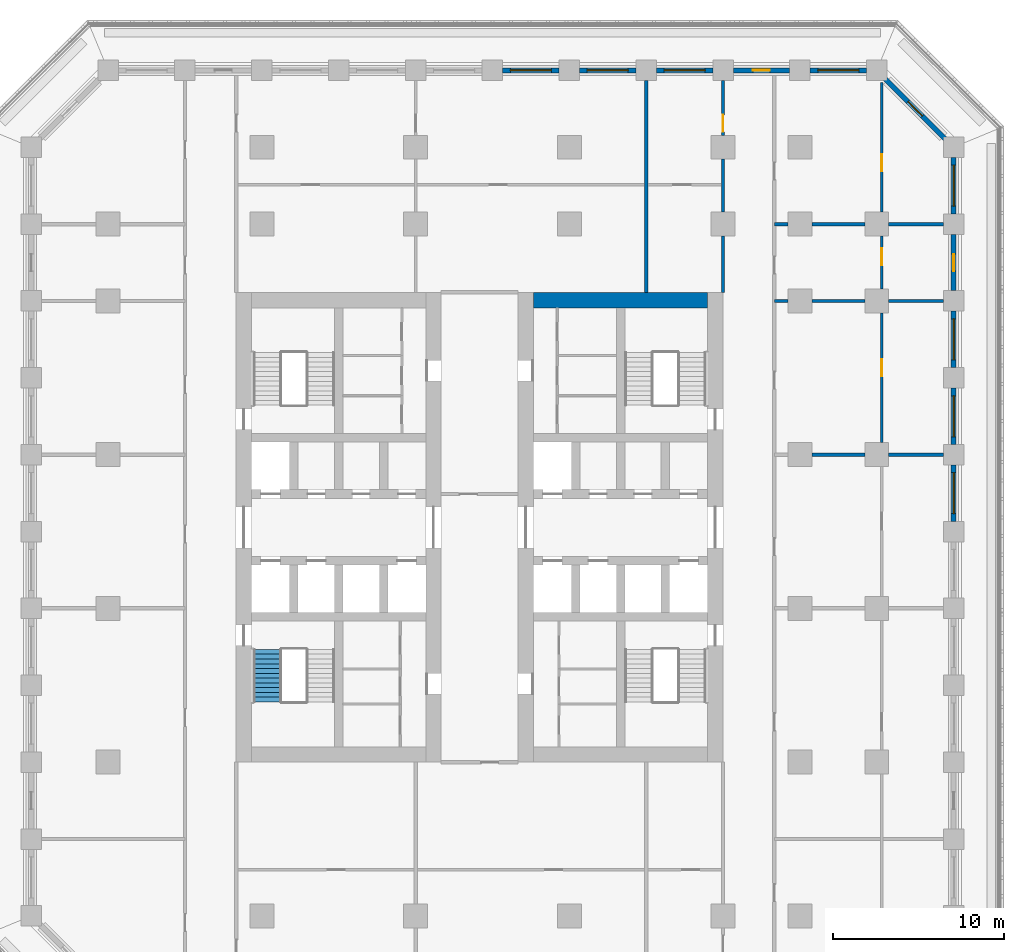
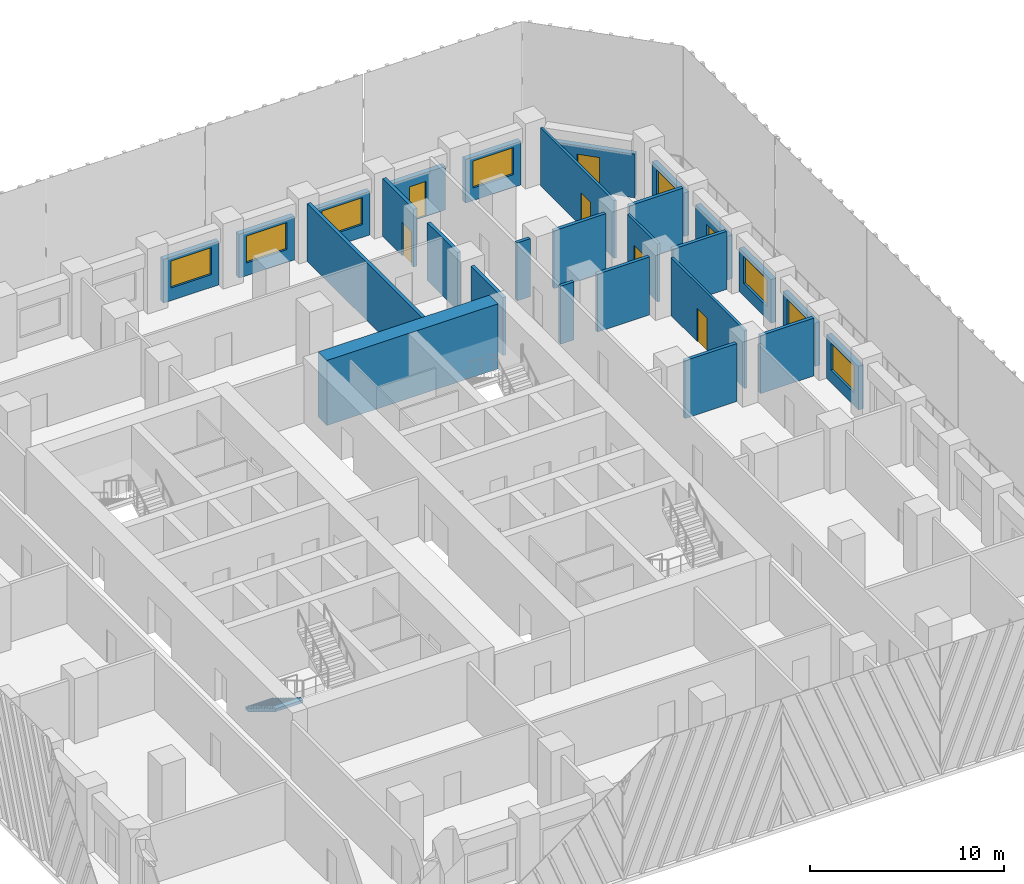
# One storey, part 8 of 19: 27 walls, 8 windows, 7 doors, 1 stair flight, 15 openings, 1 element without a shape of its own.
"""IFC4 building model written with IfcOpenShell, lengths in metres."""

from ifc_helpers import new_model, si_unit, direction, frame, frame_2d, origin, place, context, subcontext, project, spatial, polyline, rectangle, outline, extrude, material, layer, layer_set, type_object, element, fill, aggregate, save


model = new_model("IFC4")

# Units and contexts
model_context = context("Model", 3, precision=1e-05, world=origin(), true_north=direction((0.0, 1.0)))
body_context = subcontext(model_context, "Body", "Model", "MODEL_VIEW")
ifc_project = project(units=[si_unit("LENGTHUNIT", "METRE"), si_unit("AREAUNIT", "SQUARE_METRE"), si_unit("VOLUMEUNIT", "CUBIC_METRE"), si_unit("PLANEANGLEUNIT", "RADIAN"), si_unit("MASSUNIT", "GRAM", prefix="KILO")], contexts=[model_context])

# Site, building, storey
site_placement = place(None, origin())
site = spatial("IfcSite", under=ifc_project, at=site_placement, CompositionType="ELEMENT")
building_placement = place(site_placement, origin())
building = spatial("IfcBuilding", under=site, at=building_placement, Name="Corbel Stack Research Tower", CompositionType="ELEMENT")
storey_placement = place(building_placement, frame((0.0, 0.0, 90.199951171875)))
storey = spatial("IfcBuildingStorey", under=building, at=storey_placement, Name="L20", CompositionType="ELEMENT", Elevation=90.199951171875)

# Walls
ifc_material_1 = material(Name="Concrete C70/85", Category="concrete")
ifc_layer_1 = layer(ifc_material_1, 0.89990234375)
ifc_layer_set_1 = layer_set([ifc_layer_1], Name="Concrete C70/85")
wall_type_1 = type_object("IfcWallType", Name="CW-900-70", PredefinedType="SHEAR", material=ifc_layer_set_1)
wall_1_placement = place(storey_placement, frame((6.89990234375, 18.050048828125, 0.0), z_axis=(0.0, 0.0, 1.0), x_axis=(1.0, 0.0, 0.0)))
element("IfcWall", 1, at=wall_1_placement, inside=storey, type_object=wall_type_1, Name="East core wall, north end L20", PredefinedType="SHEAR", context=body_context, shape_type="SweptSolid", body=[
    extrude(rectangle(XDim=10.2001953125, YDim=0.89990234375, at=frame_2d((5.10009765625, 0.0))), origin(), (0.0, 0.0, 1.0), 4.10009765625),
])
ifc_material_2 = material(Name="Fire-rated gypsum board partition on steel studs", Category="steel")
ifc_layer_2 = layer(ifc_material_2, 0.199951171875)
ifc_layer_set_2 = layer_set([ifc_layer_2], Name="Fire-rated gypsum board partition on steel studs")
wall_type_2 = type_object("IfcWallType", Name="Fire-rated partition 200 EI 60", PredefinedType="PARTITIONING", material=ifc_layer_set_2)
wall_2_placement = place(storey_placement, frame((13.5, 18.5, 0.0), z_axis=(0.0, 0.0, 1.0), x_axis=(0.0, 1.0, 0.0)))
element("IfcWall", 2, at=wall_2_placement, inside=storey, type_object=wall_type_2, Name="Partition L20-010", PredefinedType="PARTITIONING", context=body_context, shape_type="SweptSolid", body=[
    extrude(rectangle(XDim=12.39990234375, YDim=0.199951171875, at=frame_2d((6.199951171875, 0.0))), origin(), (0.0, 0.0, 1.0), 3.650146484375),
])
wall_3_placement = place(storey_placement, frame((18.0, 18.5, 0.0), z_axis=(0.0, 0.0, 1.0), x_axis=(0.0, 1.0, 0.0)))
element("IfcWall", 3, at=wall_3_placement, inside=storey, type_object=wall_type_2, Name="Partition L20-013", PredefinedType="PARTITIONING", context=body_context, shape_type="SweptSolid", body=[
    extrude(rectangle(XDim=3.300048828125, YDim=0.199951171875, at=frame_2d((1.64990234375, 0.0))), origin(), (0.0, 0.0, 1.0), 3.650146484375),
])
wall_4_placement = place(storey_placement, frame((18.0, 23.199951171875, 0.0), z_axis=(0.0, 0.0, 1.0), x_axis=(0.0, 1.0, 0.0)))
element("IfcWall", 4, at=wall_4_placement, inside=storey, type_object=wall_type_2, Name="Partition L20-014", PredefinedType="PARTITIONING", context=body_context, shape_type="SweptSolid", body=[
    extrude(rectangle(XDim=3.10009765625, YDim=0.199951171875, at=frame_2d((1.550048828125, 0.0))), origin(), (0.0, 0.0, 1.0), 3.650146484375),
])

# Wall, opening, door
wall_5_placement = place(storey_placement, frame((18.0, 27.699951171875, 0.0), z_axis=(0.0, 0.0, 1.0), x_axis=(0.0, 1.0, 0.0)))
wall_5 = element("IfcWall", 5, at=wall_5_placement, inside=storey, type_object=wall_type_2, Name="Partition L20-015", PredefinedType="PARTITIONING", context=body_context, shape_type="SweptSolid", body=[
    extrude(rectangle(XDim=3.199951171875, YDim=0.199951171875, at=frame_2d((1.60009765625, 0.0))), origin(), (0.0, 0.0, 1.0), 3.650146484375),
])
opening_1_placement = place(wall_5_placement, frame((0.199951171875, 0.0, 0.0)))
opening_1 = element("IfcOpeningElement", 6, at=opening_1_placement, cuts=wall_5, Name="Opening B3V1-016", PredefinedType="OPENING", context=body_context, shape_type="SweptSolid", body=[
    extrude(rectangle(XDim=1.0, YDim=2.10009765625, at=frame_2d((0.5, 1.050048828125))), frame((0.0, 0.10986328125, 0.0), z_axis=(0.0, -1.0, 0.0), x_axis=(1.0, 0.0, 0.0)), (0.0, 0.0, 1.0), 0.219970703125),
])
ifc_material_3 = material(Name="Painted steel fire door", Category="steel")
door_type_1 = type_object("IfcDoorType", Name="Fire door FD30S 1000 x 2100", OperationType="NOTDEFINED", PredefinedType="DOOR", material=ifc_material_3)
door_1_placement = place(opening_1_placement, origin())
door_1 = element("IfcDoor", 7, at=door_1_placement, inside=storey, type_object=door_type_1, Name="Door B3V1-016", OperationType="SINGLE_SWING_LEFT", OverallHeight=2.10009765625, OverallWidth=1.0, PredefinedType="DOOR", context=body_context, shape_type="SweptSolid", body=[
    extrude(rectangle(XDim=1.0, YDim=2.10009765625, at=frame_2d((0.5, 1.050048828125))), frame((0.0, 0.02490234375, 0.0), z_axis=(0.0, -1.0, 0.0), x_axis=(1.0, 0.0, 0.0)), (0.0, 0.0, 1.0), 0.050048828125),
])
fill(opening_1, door_1)

# Walls
wall_6_placement = place(storey_placement, frame((23.199951171875, 9.0, 0.0), z_axis=(0.0, 0.0, 1.0), x_axis=(1.0, 0.0, 0.0)))
element("IfcWall", 8, at=wall_6_placement, inside=storey, type_object=wall_type_2, Name="Partition L20-036", PredefinedType="PARTITIONING", context=body_context, shape_type="SweptSolid", body=[
    extrude(rectangle(XDim=3.10009765625, YDim=0.199951171875, at=frame_2d((1.550048828125, 0.0))), origin(), (0.0, 0.0, 1.0), 3.650146484375),
])
wall_7_placement = place(storey_placement, frame((27.699951171875, 9.0, 0.0), z_axis=(0.0, 0.0, 1.0), x_axis=(1.0, 0.0, 0.0)))
element("IfcWall", 9, at=wall_7_placement, inside=storey, type_object=wall_type_2, Name="Partition L20-037", PredefinedType="PARTITIONING", context=body_context, shape_type="SweptSolid", body=[
    extrude(rectangle(XDim=3.199951171875, YDim=0.199951171875, at=frame_2d((1.60009765625, 0.0))), origin(), (0.0, 0.0, 1.0), 3.650146484375),
])
wall_8_placement = place(storey_placement, frame((21.0, 18.0, 0.0), z_axis=(0.0, 0.0, 1.0), x_axis=(1.0, 0.0, 0.0)))
element("IfcWall", 10, at=wall_8_placement, inside=storey, type_object=wall_type_2, Name="Partition L20-040", PredefinedType="PARTITIONING", context=body_context, shape_type="SweptSolid", body=[
    extrude(rectangle(XDim=0.800048828125, YDim=0.199951171875, at=frame_2d((0.39990234375, 0.0))), origin(), (0.0, 0.0, 1.0), 3.650146484375),
])
wall_9_placement = place(storey_placement, frame((23.199951171875, 18.0, 0.0), z_axis=(0.0, 0.0, 1.0), x_axis=(1.0, 0.0, 0.0)))
element("IfcWall", 11, at=wall_9_placement, inside=storey, type_object=wall_type_2, Name="Partition L20-041", PredefinedType="PARTITIONING", context=body_context, shape_type="SweptSolid", body=[
    extrude(rectangle(XDim=3.10009765625, YDim=0.199951171875, at=frame_2d((1.550048828125, 0.0))), origin(), (0.0, 0.0, 1.0), 3.650146484375),
])
wall_10_placement = place(storey_placement, frame((27.699951171875, 18.0, 0.0), z_axis=(0.0, 0.0, 1.0), x_axis=(1.0, 0.0, 0.0)))
element("IfcWall", 12, at=wall_10_placement, inside=storey, type_object=wall_type_2, Name="Partition L20-042", PredefinedType="PARTITIONING", context=body_context, shape_type="SweptSolid", body=[
    extrude(rectangle(XDim=3.199951171875, YDim=0.199951171875, at=frame_2d((1.60009765625, 0.0))), origin(), (0.0, 0.0, 1.0), 3.650146484375),
])
wall_11_placement = place(storey_placement, frame((21.0, 22.5, 0.0), z_axis=(0.0, 0.0, 1.0), x_axis=(1.0, 0.0, 0.0)))
element("IfcWall", 13, at=wall_11_placement, inside=storey, type_object=wall_type_2, Name="Partition L20-046", PredefinedType="PARTITIONING", context=body_context, shape_type="SweptSolid", body=[
    extrude(rectangle(XDim=0.800048828125, YDim=0.199951171875, at=frame_2d((0.39990234375, 0.0))), origin(), (0.0, 0.0, 1.0), 3.650146484375),
])
wall_12_placement = place(storey_placement, frame((23.199951171875, 22.5, 0.0), z_axis=(0.0, 0.0, 1.0), x_axis=(1.0, 0.0, 0.0)))
element("IfcWall", 14, at=wall_12_placement, inside=storey, type_object=wall_type_2, Name="Partition L20-047", PredefinedType="PARTITIONING", context=body_context, shape_type="SweptSolid", body=[
    extrude(rectangle(XDim=3.10009765625, YDim=0.199951171875, at=frame_2d((1.550048828125, 0.0))), origin(), (0.0, 0.0, 1.0), 3.650146484375),
])
wall_13_placement = place(storey_placement, frame((27.699951171875, 22.5, 0.0), z_axis=(0.0, 0.0, 1.0), x_axis=(1.0, 0.0, 0.0)))
element("IfcWall", 15, at=wall_13_placement, inside=storey, type_object=wall_type_2, Name="Partition L20-048", PredefinedType="PARTITIONING", context=body_context, shape_type="SweptSolid", body=[
    extrude(rectangle(XDim=3.199951171875, YDim=0.199951171875, at=frame_2d((1.60009765625, 0.0))), origin(), (0.0, 0.0, 1.0), 3.650146484375),
])

# Wall, opening, door
ifc_material_4 = material(Name="Gypsum board partition on steel studs", Category="steel")
ifc_layer_3 = layer(ifc_material_4, 0.14990234375)
ifc_layer_set_3 = layer_set([ifc_layer_3], Name="Gypsum board partition on steel studs")
wall_type_3 = type_object("IfcWallType", Name="Partition 150", PredefinedType="PARTITIONING", material=ifc_layer_set_3)
wall_14_placement = place(storey_placement, frame((27.300048828125, 17.300048828125, 0.0), z_axis=(0.0, 0.0, 1.0), x_axis=(0.0, -1.0, 0.0)))
wall_14 = element("IfcWall", 16, at=wall_14_placement, inside=storey, type_object=wall_type_3, Name="Partition L20-020", PredefinedType="PARTITIONING", context=body_context, shape_type="SweptSolid", body=[
    extrude(rectangle(XDim=7.60009765625, YDim=0.14990234375, at=frame_2d((3.800048828125, 0.0))), origin(), (0.0, 0.0, 1.0), 3.650146484375),
])
opening_2_placement = place(wall_14_placement, frame((2.699951171875, 0.0, 0.0)))
opening_2 = element("IfcOpeningElement", 17, at=opening_2_placement, cuts=wall_14, Name="Opening B3V1-029", PredefinedType="OPENING", context=body_context, shape_type="SweptSolid", body=[
    extrude(rectangle(XDim=1.0, YDim=2.10009765625, at=frame_2d((0.5, 1.050048828125))), frame((0.0, 0.0849609375, 0.0), z_axis=(0.0, -1.0, 0.0), x_axis=(1.0, 0.0, 0.0)), (0.0, 0.0, 1.0), 0.169921875),
])
ifc_material_5 = material(Name="Painted timber door", Category="wood")
door_type_2 = type_object("IfcDoorType", Name="Single door 1000 x 2100", OperationType="NOTDEFINED", PredefinedType="DOOR", material=ifc_material_5)
door_2_placement = place(opening_2_placement, origin())
door_2 = element("IfcDoor", 18, at=door_2_placement, inside=storey, type_object=door_type_2, Name="Door B3V1-029", OperationType="SINGLE_SWING_LEFT", OverallHeight=2.10009765625, OverallWidth=1.0, PredefinedType="DOOR", context=body_context, shape_type="SweptSolid", body=[
    extrude(rectangle(XDim=1.0, YDim=2.10009765625, at=frame_2d((0.5, 1.050048828125))), frame((0.0, 0.02490234375, 0.0), z_axis=(0.0, -1.0, 0.0), x_axis=(1.0, 0.0, 0.0)), (0.0, 0.0, 1.0), 0.050048828125),
])
fill(opening_2, door_2)

wall_15_placement = place(storey_placement, frame((27.300048828125, 21.800048828125, 0.0), z_axis=(0.0, 0.0, 1.0), x_axis=(0.0, -1.0, 0.0)))
wall_15 = element("IfcWall", 19, at=wall_15_placement, inside=storey, type_object=wall_type_3, Name="Partition L20-021", PredefinedType="PARTITIONING", context=body_context, shape_type="SweptSolid", body=[
    extrude(rectangle(XDim=3.10009765625, YDim=0.14990234375, at=frame_2d((1.550048828125, 0.0))), origin(), (0.0, 0.0, 1.0), 3.650146484375),
])
opening_3_placement = place(wall_15_placement, frame((0.699951171875, 0.0, 0.0)))
opening_3 = element("IfcOpeningElement", 20, at=opening_3_placement, cuts=wall_15, Name="Opening B3V1-030", PredefinedType="OPENING", context=body_context, shape_type="SweptSolid", body=[
    extrude(rectangle(XDim=1.0, YDim=2.10009765625, at=frame_2d((0.5, 1.050048828125))), frame((0.0, 0.0849609375, 0.0), z_axis=(0.0, -1.0, 0.0), x_axis=(1.0, 0.0, 0.0)), (0.0, 0.0, 1.0), 0.169921875),
])
door_3_placement = place(opening_3_placement, origin())
door_3 = element("IfcDoor", 21, at=door_3_placement, inside=storey, type_object=door_type_2, Name="Door B3V1-030", OperationType="SINGLE_SWING_LEFT", OverallHeight=2.10009765625, OverallWidth=1.0, PredefinedType="DOOR", context=body_context, shape_type="SweptSolid", body=[
    extrude(rectangle(XDim=1.0, YDim=2.10009765625, at=frame_2d((0.5, 1.050048828125))), frame((0.0, 0.02490234375, 0.0), z_axis=(0.0, -1.0, 0.0), x_axis=(1.0, 0.0, 0.0)), (0.0, 0.0, 1.0), 0.050048828125),
])
fill(opening_3, door_3)

wall_16_placement = place(storey_placement, frame((27.300048828125, 30.777099609375, 0.0), z_axis=(0.0, 0.0, 1.0), x_axis=(0.0, -1.0, 0.0)))
wall_16 = element("IfcWall", 22, at=wall_16_placement, inside=storey, type_object=wall_type_3, Name="Partition L20-022", PredefinedType="PARTITIONING", context=body_context, shape_type="SweptSolid", body=[
    extrude(rectangle(XDim=7.5771484375, YDim=0.14990234375, at=frame_2d((3.78857421875, 0.0))), origin(), (0.0, 0.0, 1.0), 3.650146484375),
])
opening_4_placement = place(wall_16_placement, frame((4.17724609375, 0.0, 0.0)))
opening_4 = element("IfcOpeningElement", 23, at=opening_4_placement, cuts=wall_16, Name="Opening B3V1-031", PredefinedType="OPENING", context=body_context, shape_type="SweptSolid", body=[
    extrude(rectangle(XDim=1.0, YDim=2.10009765625, at=frame_2d((0.5, 1.050048828125))), frame((0.0, 0.0849609375, 0.0), z_axis=(0.0, -1.0, 0.0), x_axis=(1.0, 0.0, 0.0)), (0.0, 0.0, 1.0), 0.169921875),
])
door_4_placement = place(opening_4_placement, origin())
door_4 = element("IfcDoor", 24, at=door_4_placement, inside=storey, type_object=door_type_2, Name="Door B3V1-031", OperationType="SINGLE_SWING_RIGHT", OverallHeight=2.10009765625, OverallWidth=1.0, PredefinedType="DOOR", context=body_context, shape_type="SweptSolid", body=[
    extrude(rectangle(XDim=1.0, YDim=2.10009765625, at=frame_2d((0.5, 1.050048828125))), frame((0.0, 0.02490234375, 0.0), z_axis=(0.0, -1.0, 0.0), x_axis=(1.0, 0.0, 0.0)), (0.0, 0.0, 1.0), 0.050048828125),
])
fill(opening_4, door_4)

# Wall, opening, window
ifc_material_6 = material(Name="Concrete C45/55", Category="concrete")
ifc_layer_4 = layer(ifc_material_6, 0.300048828125)
ifc_layer_set_4 = layer_set([ifc_layer_4], Name="Concrete C45/55")
wall_type_4 = type_object("IfcWallType", Name="Terracotta-faced concrete wall 300", PredefinedType="SOLIDWALL", material=ifc_layer_set_4)
wall_17_placement = place(storey_placement, frame((31.5, 8.39990234375, 0.0), z_axis=(0.0, 0.0, 1.0), x_axis=(0.0, -1.0, 0.0)))
wall_17 = element("IfcWall", 25, at=wall_17_placement, inside=storey, type_object=wall_type_4, Name="Facade wall L20 E06", PredefinedType="SOLIDWALL", context=body_context, shape_type="SweptSolid", body=[
    extrude(rectangle(XDim=3.2998046875, YDim=0.300048828125, at=frame_2d((1.64990234375, 0.0))), origin(), (0.0, 0.0, 1.0), 2.75),
])
opening_5_placement = place(wall_17_placement, frame((0.449951171875, 0.0, 0.800048828125)))
opening_5 = element("IfcOpeningElement", 26, at=opening_5_placement, cuts=wall_17, Name="Opening W1", PredefinedType="OPENING", context=body_context, shape_type="SweptSolid", body=[
    extrude(rectangle(XDim=2.39990234375, YDim=1.699951171875, at=frame_2d((1.199951171875, 0.85009765625))), frame((0.0, 0.159912109375, 0.0), z_axis=(0.0, -1.0, 0.0), x_axis=(1.0, 0.0, 0.0)), (0.0, 0.0, 1.0), 0.320068359375),
])
ifc_material_7 = material(Name="Aluminium frame, clear double glazing", Category="aluminium")
window_type = type_object("IfcWindowType", Name="Window W1 2400 x 1700", PartitioningType="SINGLE_PANEL", PredefinedType="WINDOW", material=ifc_material_7)
window_1_placement = place(opening_5_placement, origin())
window_1 = element("IfcWindow", 27, at=window_1_placement, inside=storey, type_object=window_type, Name="Window W1 L20 E06", OverallHeight=1.699951171875, OverallWidth=2.39990234375, PartitioningType="SINGLE_PANEL", PredefinedType="WINDOW", context=body_context, shape_type="SweptSolid", body=[
    extrude(rectangle(XDim=2.39990234375, YDim=1.699951171875, at=frame_2d((1.199951171875, 0.85009765625))), frame((0.0, 0.030029296875, 0.0), z_axis=(0.0, -1.0, 0.0), x_axis=(1.0, 0.0, 0.0)), (0.0, 0.0, 1.0), 0.06005859375),
])
fill(opening_5, window_1)

wall_18_placement = place(storey_placement, frame((31.5, 12.89990234375, 0.0), z_axis=(0.0, 0.0, 1.0), x_axis=(0.0, -1.0, 0.0)))
wall_18 = element("IfcWall", 28, at=wall_18_placement, inside=storey, type_object=wall_type_4, Name="Facade wall L20 E07", PredefinedType="SOLIDWALL", context=body_context, shape_type="SweptSolid", body=[
    extrude(rectangle(XDim=3.2998046875, YDim=0.300048828125, at=frame_2d((1.64990234375, 0.0))), origin(), (0.0, 0.0, 1.0), 2.75),
])
opening_6_placement = place(wall_18_placement, frame((0.449951171875, 0.0, 0.800048828125)))
opening_6 = element("IfcOpeningElement", 29, at=opening_6_placement, cuts=wall_18, Name="Opening W1", PredefinedType="OPENING", context=body_context, shape_type="SweptSolid", body=[
    extrude(rectangle(XDim=2.39990234375, YDim=1.699951171875, at=frame_2d((1.199951171875, 0.85009765625))), frame((0.0, 0.159912109375, 0.0), z_axis=(0.0, -1.0, 0.0), x_axis=(1.0, 0.0, 0.0)), (0.0, 0.0, 1.0), 0.320068359375),
])
window_2_placement = place(opening_6_placement, origin())
window_2 = element("IfcWindow", 30, at=window_2_placement, inside=storey, type_object=window_type, Name="Window W1 L20 E07", OverallHeight=1.699951171875, OverallWidth=2.39990234375, PartitioningType="SINGLE_PANEL", PredefinedType="WINDOW", context=body_context, shape_type="SweptSolid", body=[
    extrude(rectangle(XDim=2.39990234375, YDim=1.699951171875, at=frame_2d((1.199951171875, 0.85009765625))), frame((0.0, 0.030029296875, 0.0), z_axis=(0.0, -1.0, 0.0), x_axis=(1.0, 0.0, 0.0)), (0.0, 0.0, 1.0), 0.06005859375),
])
fill(opening_6, window_2)

wall_19_placement = place(storey_placement, frame((31.5, 17.39990234375, 0.0), z_axis=(0.0, 0.0, 1.0), x_axis=(0.0, -1.0, 0.0)))
wall_19 = element("IfcWall", 31, at=wall_19_placement, inside=storey, type_object=wall_type_4, Name="Facade wall L20 E08", PredefinedType="SOLIDWALL", context=body_context, shape_type="SweptSolid", body=[
    extrude(rectangle(XDim=3.2998046875, YDim=0.300048828125, at=frame_2d((1.64990234375, 0.0))), origin(), (0.0, 0.0, 1.0), 2.75),
])
opening_7_placement = place(wall_19_placement, frame((0.449951171875, 0.0, 0.800048828125)))
opening_7 = element("IfcOpeningElement", 32, at=opening_7_placement, cuts=wall_19, Name="Opening W1", PredefinedType="OPENING", context=body_context, shape_type="SweptSolid", body=[
    extrude(rectangle(XDim=2.39990234375, YDim=1.699951171875, at=frame_2d((1.199951171875, 0.85009765625))), frame((0.0, 0.159912109375, 0.0), z_axis=(0.0, -1.0, 0.0), x_axis=(1.0, 0.0, 0.0)), (0.0, 0.0, 1.0), 0.320068359375),
])
window_3_placement = place(opening_7_placement, origin())
window_3 = element("IfcWindow", 33, at=window_3_placement, inside=storey, type_object=window_type, Name="Window W1 L20 E08", OverallHeight=1.699951171875, OverallWidth=2.39990234375, PartitioningType="SINGLE_PANEL", PredefinedType="WINDOW", context=body_context, shape_type="SweptSolid", body=[
    extrude(rectangle(XDim=2.39990234375, YDim=1.699951171875, at=frame_2d((1.199951171875, 0.85009765625))), frame((0.0, 0.030029296875, 0.0), z_axis=(0.0, -1.0, 0.0), x_axis=(1.0, 0.0, 0.0)), (0.0, 0.0, 1.0), 0.06005859375),
])
fill(opening_7, window_3)

# Wall, opening, door
wall_20_placement = place(storey_placement, frame((31.5, 21.89990234375, 0.0), z_axis=(0.0, 0.0, 1.0), x_axis=(0.0, -1.0, 0.0)))
wall_20 = element("IfcWall", 34, at=wall_20_placement, inside=storey, type_object=wall_type_4, Name="Facade wall L20 E09", PredefinedType="SOLIDWALL", context=body_context, shape_type="SweptSolid", body=[
    extrude(rectangle(XDim=3.2998046875, YDim=0.300048828125, at=frame_2d((1.64990234375, 0.0))), origin(), (0.0, 0.0, 1.0), 2.75),
])
opening_8_placement = place(wall_20_placement, frame((1.14990234375, 0.0, 0.0)))
opening_8 = element("IfcOpeningElement", 35, at=opening_8_placement, cuts=wall_20, Name="Opening L20-B05", PredefinedType="OPENING", context=body_context, shape_type="SweptSolid", body=[
    extrude(rectangle(XDim=1.0, YDim=2.199951171875, at=frame_2d((0.5, 1.10009765625))), frame((0.0, 0.159912109375, 0.0), z_axis=(0.0, -1.0, 0.0), x_axis=(1.0, 0.0, 0.0)), (0.0, 0.0, 1.0), 0.320068359375),
])
ifc_material_8 = material(Name="Aluminium frame, clear double glazing", Category="aluminium")
door_type_3 = type_object("IfcDoorType", Name="Balcony door BD1 1000 x 2200", OperationType="NOTDEFINED", PredefinedType="DOOR", material=ifc_material_8)
door_5_placement = place(opening_8_placement, origin())
door_5 = element("IfcDoor", 36, at=door_5_placement, inside=storey, type_object=door_type_3, Name="Balcony door L20-B05", OperationType="SINGLE_SWING_LEFT", OverallHeight=2.199951171875, OverallWidth=1.0, PredefinedType="DOOR", context=body_context, shape_type="SweptSolid", body=[
    extrude(rectangle(XDim=1.0, YDim=2.199951171875, at=frame_2d((0.5, 1.10009765625))), frame((0.0, 0.02490234375, 0.0), z_axis=(0.0, -1.0, 0.0), x_axis=(1.0, 0.0, 0.0)), (0.0, 0.0, 1.0), 0.050048828125),
])
fill(opening_8, door_5)

# Wall, opening, window
wall_21_placement = place(storey_placement, frame((31.5, 26.39990234375, 0.0), z_axis=(0.0, 0.0, 1.0), x_axis=(0.0, -1.0, 0.0)))
wall_21 = element("IfcWall", 37, at=wall_21_placement, inside=storey, type_object=wall_type_4, Name="Facade wall L20 E10", PredefinedType="SOLIDWALL", context=body_context, shape_type="SweptSolid", body=[
    extrude(rectangle(XDim=3.2998046875, YDim=0.300048828125, at=frame_2d((1.64990234375, 0.0))), origin(), (0.0, 0.0, 1.0), 2.75),
])
opening_9_placement = place(wall_21_placement, frame((0.449951171875, 0.0, 0.800048828125)))
opening_9 = element("IfcOpeningElement", 38, at=opening_9_placement, cuts=wall_21, Name="Opening W1", PredefinedType="OPENING", context=body_context, shape_type="SweptSolid", body=[
    extrude(rectangle(XDim=2.39990234375, YDim=1.699951171875, at=frame_2d((1.199951171875, 0.85009765625))), frame((0.0, 0.159912109375, 0.0), z_axis=(0.0, -1.0, 0.0), x_axis=(1.0, 0.0, 0.0)), (0.0, 0.0, 1.0), 0.320068359375),
])
window_4_placement = place(opening_9_placement, origin())
window_4 = element("IfcWindow", 39, at=window_4_placement, inside=storey, type_object=window_type, Name="Window W1 L20 E10", OverallHeight=1.699951171875, OverallWidth=2.39990234375, PartitioningType="SINGLE_PANEL", PredefinedType="WINDOW", context=body_context, shape_type="SweptSolid", body=[
    extrude(rectangle(XDim=2.39990234375, YDim=1.699951171875, at=frame_2d((1.199951171875, 0.85009765625))), frame((0.0, 0.030029296875, 0.0), z_axis=(0.0, -1.0, 0.0), x_axis=(1.0, 0.0, 0.0)), (0.0, 0.0, 1.0), 0.06005859375),
])
fill(opening_9, window_4)

# Wall, opening, door
wall_22_placement = place(storey_placement, frame((27.493896484375, 31.006103515625, 0.0), z_axis=(0.0, 0.0, 1.0), x_axis=(0.707106781187, -0.707106781187, 0.0)))
wall_22 = element("IfcWall", 40, at=wall_22_placement, inside=storey, type_object=wall_type_4, Name="Facade wall L20 NE01", PredefinedType="SOLIDWALL", context=body_context, shape_type="SweptSolid", body=[
    extrude(rectangle(XDim=4.967041015625, YDim=0.300048828125, at=frame_2d((2.4833984375, 0.0))), origin(), (0.0, 0.0, 1.0), 2.75),
])
opening_10_placement = place(wall_22_placement, frame((1.883544921875, 0.0, 0.0)))
opening_10 = element("IfcOpeningElement", 41, at=opening_10_placement, cuts=wall_22, Name="Opening L20-B06", PredefinedType="OPENING", context=body_context, shape_type="SweptSolid", body=[
    extrude(rectangle(XDim=1.199951171875, YDim=2.199951171875, at=frame_2d((0.60009765625, 1.10009765625))), frame((0.0, 0.159912109375, 0.0), z_axis=(0.0, -1.0, 0.0), x_axis=(1.0, 0.0, 0.0)), (0.0, 0.0, 1.0), 0.320068359375),
])
ifc_material_9 = material(Name="Aluminium frame, clear double glazing", Category="aluminium")
door_type_4 = type_object("IfcDoorType", Name="Balcony door BD2 1200 x 2200", OperationType="NOTDEFINED", PredefinedType="DOOR", material=ifc_material_9)
door_6_placement = place(opening_10_placement, origin())
door_6 = element("IfcDoor", 42, at=door_6_placement, inside=storey, type_object=door_type_4, Name="Balcony door L20-B06", OperationType="SINGLE_SWING_LEFT", OverallHeight=2.199951171875, OverallWidth=1.199951171875, PredefinedType="DOOR", context=body_context, shape_type="SweptSolid", body=[
    extrude(rectangle(XDim=1.199951171875, YDim=2.199951171875, at=frame_2d((0.60009765625, 1.10009765625))), frame((0.0, 0.02490234375, 0.0), z_axis=(0.0, -1.0, 0.0), x_axis=(1.0, 0.0, 0.0)), (0.0, 0.0, 1.0), 0.050048828125),
])
fill(opening_10, door_6)

# Wall, opening, window
wall_23_placement = place(storey_placement, frame((23.10009765625, 31.5, 0.0), z_axis=(0.0, 0.0, 1.0), x_axis=(1.0, 0.0, 0.0)))
wall_23 = element("IfcWall", 43, at=wall_23_placement, inside=storey, type_object=wall_type_4, Name="Facade wall L20 N01", PredefinedType="SOLIDWALL", context=body_context, shape_type="SweptSolid", body=[
    extrude(rectangle(XDim=3.2998046875, YDim=0.300048828125, at=frame_2d((1.64990234375, 0.0))), origin(), (0.0, 0.0, 1.0), 2.75),
])
opening_11_placement = place(wall_23_placement, frame((0.449951171875, 0.0, 0.800048828125)))
opening_11 = element("IfcOpeningElement", 44, at=opening_11_placement, cuts=wall_23, Name="Opening W1", PredefinedType="OPENING", context=body_context, shape_type="SweptSolid", body=[
    extrude(rectangle(XDim=2.39990234375, YDim=1.699951171875, at=frame_2d((1.199951171875, 0.85009765625))), frame((0.0, 0.159912109375, 0.0), z_axis=(0.0, -1.0, 0.0), x_axis=(1.0, 0.0, 0.0)), (0.0, 0.0, 1.0), 0.320068359375),
])
window_5_placement = place(opening_11_placement, origin())
window_5 = element("IfcWindow", 45, at=window_5_placement, inside=storey, type_object=window_type, Name="Window W1 L20 N01", OverallHeight=1.699951171875, OverallWidth=2.39990234375, PartitioningType="SINGLE_PANEL", PredefinedType="WINDOW", context=body_context, shape_type="SweptSolid", body=[
    extrude(rectangle(XDim=2.39990234375, YDim=1.699951171875, at=frame_2d((1.199951171875, 0.85009765625))), frame((0.0, 0.030029296875, 0.0), z_axis=(0.0, -1.0, 0.0), x_axis=(1.0, 0.0, 0.0)), (0.0, 0.0, 1.0), 0.06005859375),
])
fill(opening_11, window_5)

# Wall, opening, door
wall_24_placement = place(storey_placement, frame((18.60009765625, 31.5, 0.0), z_axis=(0.0, 0.0, 1.0), x_axis=(1.0, 0.0, 0.0)))
wall_24 = element("IfcWall", 46, at=wall_24_placement, inside=storey, type_object=wall_type_4, Name="Facade wall L20 N02", PredefinedType="SOLIDWALL", context=body_context, shape_type="SweptSolid", body=[
    extrude(rectangle(XDim=3.2998046875, YDim=0.300048828125, at=frame_2d((1.64990234375, 0.0))), origin(), (0.0, 0.0, 1.0), 2.75),
])
opening_12_placement = place(wall_24_placement, frame((1.14990234375, 0.0, 0.0)))
opening_12 = element("IfcOpeningElement", 47, at=opening_12_placement, cuts=wall_24, Name="Opening L20-B07", PredefinedType="OPENING", context=body_context, shape_type="SweptSolid", body=[
    extrude(rectangle(XDim=1.0, YDim=2.199951171875, at=frame_2d((0.5, 1.10009765625))), frame((0.0, 0.159912109375, 0.0), z_axis=(0.0, -1.0, 0.0), x_axis=(1.0, 0.0, 0.0)), (0.0, 0.0, 1.0), 0.320068359375),
])
door_7_placement = place(opening_12_placement, origin())
door_7 = element("IfcDoor", 48, at=door_7_placement, inside=storey, type_object=door_type_3, Name="Balcony door L20-B07", OperationType="SINGLE_SWING_RIGHT", OverallHeight=2.199951171875, OverallWidth=1.0, PredefinedType="DOOR", context=body_context, shape_type="SweptSolid", body=[
    extrude(rectangle(XDim=1.0, YDim=2.199951171875, at=frame_2d((0.5, 1.10009765625))), frame((0.0, 0.02490234375, 0.0), z_axis=(0.0, -1.0, 0.0), x_axis=(1.0, 0.0, 0.0)), (0.0, 0.0, 1.0), 0.050048828125),
])
fill(opening_12, door_7)

# Wall, opening, window
wall_25_placement = place(storey_placement, frame((14.10009765625, 31.5, 0.0), z_axis=(0.0, 0.0, 1.0), x_axis=(1.0, 0.0, 0.0)))
wall_25 = element("IfcWall", 49, at=wall_25_placement, inside=storey, type_object=wall_type_4, Name="Facade wall L20 N03", PredefinedType="SOLIDWALL", context=body_context, shape_type="SweptSolid", body=[
    extrude(rectangle(XDim=3.2998046875, YDim=0.300048828125, at=frame_2d((1.64990234375, 0.0))), origin(), (0.0, 0.0, 1.0), 2.75),
])
opening_13_placement = place(wall_25_placement, frame((0.449951171875, 0.0, 0.800048828125)))
opening_13 = element("IfcOpeningElement", 50, at=opening_13_placement, cuts=wall_25, Name="Opening W1", PredefinedType="OPENING", context=body_context, shape_type="SweptSolid", body=[
    extrude(rectangle(XDim=2.39990234375, YDim=1.699951171875, at=frame_2d((1.199951171875, 0.85009765625))), frame((0.0, 0.159912109375, 0.0), z_axis=(0.0, -1.0, 0.0), x_axis=(1.0, 0.0, 0.0)), (0.0, 0.0, 1.0), 0.320068359375),
])
window_6_placement = place(opening_13_placement, origin())
window_6 = element("IfcWindow", 51, at=window_6_placement, inside=storey, type_object=window_type, Name="Window W1 L20 N03", OverallHeight=1.699951171875, OverallWidth=2.39990234375, PartitioningType="SINGLE_PANEL", PredefinedType="WINDOW", context=body_context, shape_type="SweptSolid", body=[
    extrude(rectangle(XDim=2.39990234375, YDim=1.699951171875, at=frame_2d((1.199951171875, 0.85009765625))), frame((0.0, 0.030029296875, 0.0), z_axis=(0.0, -1.0, 0.0), x_axis=(1.0, 0.0, 0.0)), (0.0, 0.0, 1.0), 0.06005859375),
])
fill(opening_13, window_6)

wall_26_placement = place(storey_placement, frame((9.60009765625, 31.5, 0.0), z_axis=(0.0, 0.0, 1.0), x_axis=(1.0, 0.0, 0.0)))
wall_26 = element("IfcWall", 52, at=wall_26_placement, inside=storey, type_object=wall_type_4, Name="Facade wall L20 N04", PredefinedType="SOLIDWALL", context=body_context, shape_type="SweptSolid", body=[
    extrude(rectangle(XDim=3.2998046875, YDim=0.300048828125, at=frame_2d((1.64990234375, 0.0))), origin(), (0.0, 0.0, 1.0), 2.75),
])
opening_14_placement = place(wall_26_placement, frame((0.449951171875, 0.0, 0.800048828125)))
opening_14 = element("IfcOpeningElement", 53, at=opening_14_placement, cuts=wall_26, Name="Opening W1", PredefinedType="OPENING", context=body_context, shape_type="SweptSolid", body=[
    extrude(rectangle(XDim=2.39990234375, YDim=1.699951171875, at=frame_2d((1.199951171875, 0.85009765625))), frame((0.0, 0.159912109375, 0.0), z_axis=(0.0, -1.0, 0.0), x_axis=(1.0, 0.0, 0.0)), (0.0, 0.0, 1.0), 0.320068359375),
])
window_7_placement = place(opening_14_placement, origin())
window_7 = element("IfcWindow", 54, at=window_7_placement, inside=storey, type_object=window_type, Name="Window W1 L20 N04", OverallHeight=1.699951171875, OverallWidth=2.39990234375, PartitioningType="SINGLE_PANEL", PredefinedType="WINDOW", context=body_context, shape_type="SweptSolid", body=[
    extrude(rectangle(XDim=2.39990234375, YDim=1.699951171875, at=frame_2d((1.199951171875, 0.85009765625))), frame((0.0, 0.030029296875, 0.0), z_axis=(0.0, -1.0, 0.0), x_axis=(1.0, 0.0, 0.0)), (0.0, 0.0, 1.0), 0.06005859375),
])
fill(opening_14, window_7)

wall_27_placement = place(storey_placement, frame((5.10009765625, 31.5, 0.0), z_axis=(0.0, 0.0, 1.0), x_axis=(1.0, 0.0, 0.0)))
wall_27 = element("IfcWall", 55, at=wall_27_placement, inside=storey, type_object=wall_type_4, Name="Facade wall L20 N05", PredefinedType="SOLIDWALL", context=body_context, shape_type="SweptSolid", body=[
    extrude(rectangle(XDim=3.2998046875, YDim=0.300048828125, at=frame_2d((1.64990234375, 0.0))), origin(), (0.0, 0.0, 1.0), 2.75),
])
opening_15_placement = place(wall_27_placement, frame((0.449951171875, 0.0, 0.800048828125)))
opening_15 = element("IfcOpeningElement", 56, at=opening_15_placement, cuts=wall_27, Name="Opening W1", PredefinedType="OPENING", context=body_context, shape_type="SweptSolid", body=[
    extrude(rectangle(XDim=2.39990234375, YDim=1.699951171875, at=frame_2d((1.199951171875, 0.85009765625))), frame((0.0, 0.159912109375, 0.0), z_axis=(0.0, -1.0, 0.0), x_axis=(1.0, 0.0, 0.0)), (0.0, 0.0, 1.0), 0.320068359375),
])
window_8_placement = place(opening_15_placement, origin())
window_8 = element("IfcWindow", 57, at=window_8_placement, inside=storey, type_object=window_type, Name="Window W1 L20 N05", OverallHeight=1.699951171875, OverallWidth=2.39990234375, PartitioningType="SINGLE_PANEL", PredefinedType="WINDOW", context=body_context, shape_type="SweptSolid", body=[
    extrude(rectangle(XDim=2.39990234375, YDim=1.699951171875, at=frame_2d((1.199951171875, 0.85009765625))), frame((0.0, 0.030029296875, 0.0), z_axis=(0.0, -1.0, 0.0), x_axis=(1.0, 0.0, 0.0)), (0.0, 0.0, 1.0), 0.06005859375),
])
fill(opening_15, window_8)

# Stair, stair flight
ifc_material_10 = material(Name="Concrete C40/50", Category="concrete")
stair_type = type_object("IfcStairType", Name="Exit stair 24 risers", PredefinedType="HALF_TURN_STAIR", material=ifc_material_10)
stair_placement = place(storey_placement, origin())
stair = element("IfcStair", 58, at=stair_placement, inside=storey, type_object=stair_type, Name="L20 Exit stair ST-W1", PredefinedType="HALF_TURN_STAIR")
ifc_material_11 = material(Name="Concrete C40/50", Category="concrete")
stair_flight_type = type_object("IfcStairFlightType", Name="Stair flight 12 risers", PredefinedType="STRAIGHT", material=ifc_material_11)
stair_flight_placement = place(storey_placement, frame((-8.675048828125, -2.39990234375, 0.0), z_axis=(0.0, 0.0, 1.0), x_axis=(0.0, -1.0, 0.0)))
stair_flight = element("IfcStairFlight", 59, at=stair_flight_placement, type_object=stair_flight_type, Name="ST-W1 flight 1", NumberOfRisers=12, NumberOfTreads=11, PredefinedType="STRAIGHT", RiserHeight=0.170833333, TreadLength=0.28, context=body_context, shape_type="SweptSolid", body=[
    extrude(outline(polyline([(0.0, 0.0), (0.0, 0.1708984375), (0.280029296875, 0.1708984375), (0.280029296875, 0.341552734375), (0.56005859375, 0.341552734375), (0.56005859375, 0.512451171875), (0.840087890625, 0.512451171875), (0.840087890625, 0.683349609375), (1.1201171875, 0.683349609375), (1.1201171875, 0.854248046875), (1.39990234375, 0.854248046875), (1.39990234375, 1.02490234375), (1.679931640625, 1.02490234375), (1.679931640625, 1.19580078125), (1.9599609375, 1.19580078125), (1.9599609375, 1.36669921875), (2.239990234375, 1.36669921875), (2.239990234375, 1.53759765625), (2.52001953125, 1.53759765625), (2.52001953125, 1.708251953125), (2.800048828125, 1.708251953125), (2.800048828125, 1.879150390625), (3.080078125, 1.879150390625), (3.080078125, 2.050048828125), (3.080078125, 1.70361328125), (0.287841796875, 0.0), (0.0, 0.0)])), frame((0.0, 0.824951171875, 0.0), z_axis=(0.0, -1.0, 0.0), x_axis=(1.0, 0.0, 0.0)), (0.0, 0.0, 1.0), 1.64990234375),
])
aggregate(stair, [stair_flight])

save(model, "model.ifc")
